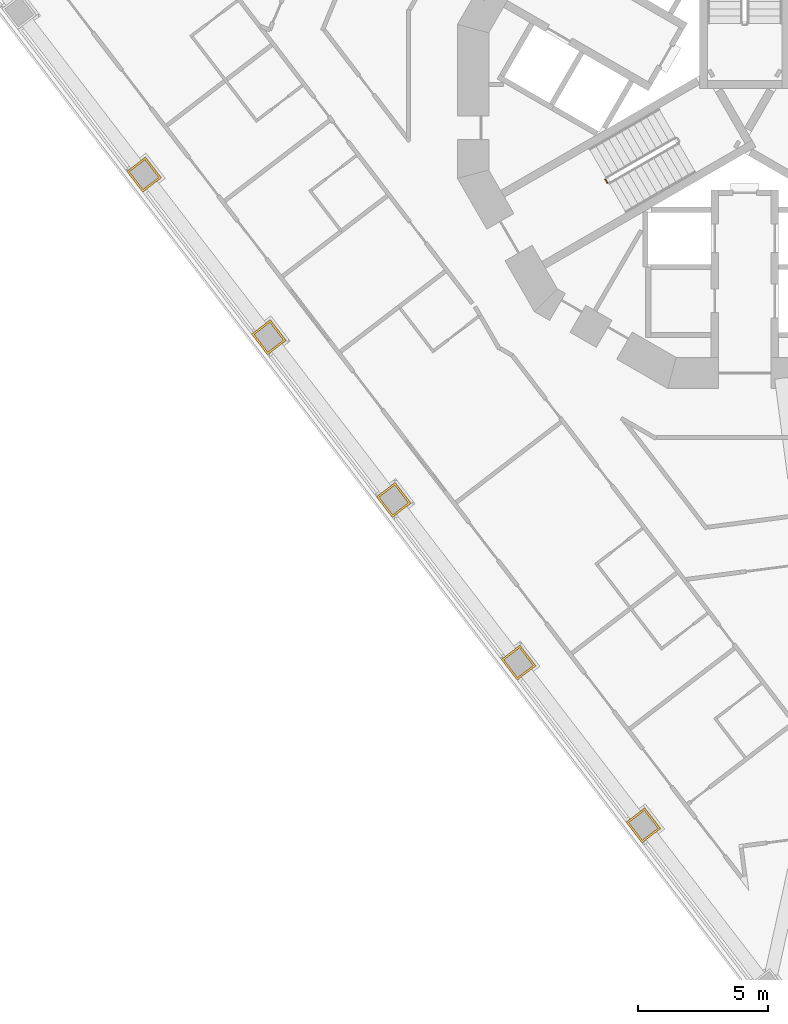
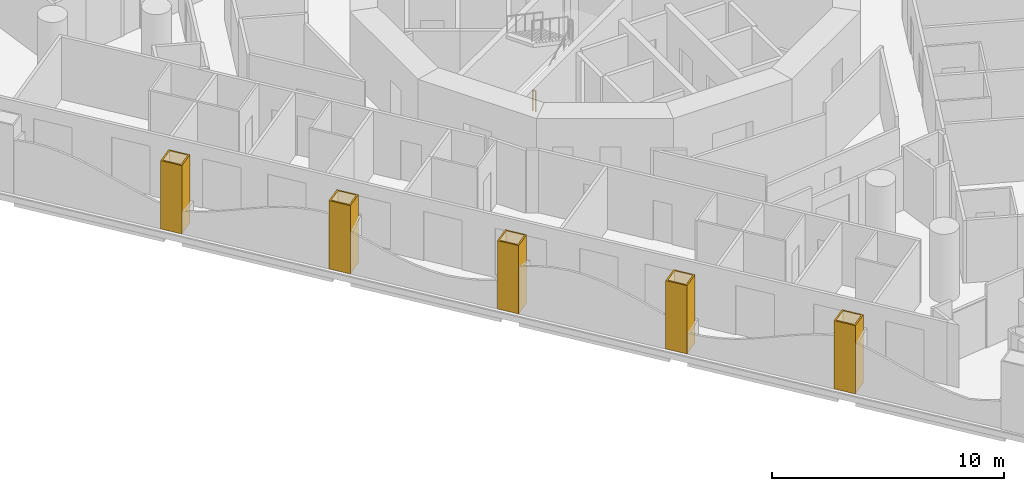
# One storey, part 12 of 19: 5 coverings, 1 railing.
"""IFC4 building model written with IfcOpenShell, lengths in metres."""

from ifc_helpers import new_model, si_unit, direction, frame, origin, origin_2d, place, context, subcontext, project, spatial, polyline, circle, outline, extrude, material, layer, layer_set, type_object, element, save


model = new_model("IFC4")

# Units and contexts
model_context = context("Model", 3, precision=1e-05, world=origin(), true_north=direction((0.0, 1.0)))
body_context = subcontext(model_context, "Body", "Model", "MODEL_VIEW")
ifc_project = project(units=[si_unit("LENGTHUNIT", "METRE"), si_unit("AREAUNIT", "SQUARE_METRE"), si_unit("VOLUMEUNIT", "CUBIC_METRE"), si_unit("PLANEANGLEUNIT", "RADIAN"), si_unit("MASSUNIT", "GRAM", prefix="KILO")], contexts=[model_context])

# Site, building, storey
site_placement = place(None, origin())
site = spatial("IfcSite", under=ifc_project, at=site_placement, CompositionType="ELEMENT")
building_placement = place(site_placement, origin())
building = spatial("IfcBuilding", under=site, at=building_placement, Name="Trine Commons Tower", CompositionType="ELEMENT")
storey_placement = place(building_placement, frame((0.0, 0.0, 68.39990234375)))
storey = spatial("IfcBuildingStorey", under=building, at=storey_placement, Name="L16", CompositionType="ELEMENT", Elevation=68.39990234375)

# Coverings
ifc_material_1 = material(Name="Limestone, honed", Category="masonry")
ifc_layer = layer(ifc_material_1, 0.074951171875)
ifc_layer_set = layer_set([ifc_layer], Name="Limestone, honed")
covering_type = type_object("IfcCoveringType", Name="Limestone column cladding 75", PredefinedType="CLADDING", material=ifc_layer_set)
covering_1_placement = place(storey_placement, origin())
element("IfcCovering", 1, at=covering_1_placement, inside=storey, type_object=covering_type, Name="Limestone pier cladding 2-02", PredefinedType="CLADDING", context=body_context, shape_type="SweptSolid", body=[
    extrude(outline(polyline([(76.1669921875, 35.419189453125), (75.452880859375, 34.87109375), (76.061767578125, 34.077880859375), (76.775634765625, 34.625732421875), (76.1669921875, 35.419189453125)]), holes=[polyline([(76.153076171875, 35.31396484375), (75.55810546875, 34.857421875), (76.075439453125, 34.18310546875), (76.67041015625, 34.6396484375), (76.153076171875, 35.31396484375)])]), origin(), (0.0, 0.0, 1.0), 3.60009765625),
])
covering_2_placement = place(storey_placement, origin())
element("IfcCovering", 2, at=covering_2_placement, inside=storey, type_object=covering_type, Name="Limestone pier cladding 2-03", PredefinedType="CLADDING", context=body_context, shape_type="SweptSolid", body=[
    extrude(outline(polyline([(71.381591796875, 41.6552734375), (70.667724609375, 41.107421875), (71.276611328125, 40.314208984375), (71.990478515625, 40.862060546875), (71.381591796875, 41.6552734375)]), holes=[polyline([(71.367919921875, 41.55029296875), (70.77294921875, 41.093505859375), (71.290283203125, 40.419189453125), (71.88525390625, 40.875732421875), (71.367919921875, 41.55029296875)])]), origin(), (0.0, 0.0, 1.0), 3.60009765625),
])
covering_3_placement = place(storey_placement, origin())
element("IfcCovering", 3, at=covering_3_placement, inside=storey, type_object=covering_type, Name="Limestone pier cladding 2-04", PredefinedType="CLADDING", context=body_context, shape_type="SweptSolid", body=[
    extrude(outline(polyline([(66.5966796875, 47.891357421875), (65.882568359375, 47.343505859375), (66.491455078125, 46.55029296875), (67.205322265625, 47.09814453125), (66.5966796875, 47.891357421875)]), holes=[polyline([(66.582763671875, 47.786376953125), (65.98779296875, 47.32958984375), (66.505126953125, 46.6552734375), (67.10009765625, 47.11181640625), (66.582763671875, 47.786376953125)])]), origin(), (0.0, 0.0, 1.0), 3.60009765625),
])
covering_4_placement = place(storey_placement, origin())
element("IfcCovering", 4, at=covering_4_placement, inside=storey, type_object=covering_type, Name="Limestone pier cladding 2-05", PredefinedType="CLADDING", context=body_context, shape_type="SweptSolid", body=[
    extrude(outline(polyline([(61.811279296875, 54.127685546875), (61.097412109375, 53.57958984375), (61.706298828125, 52.786376953125), (62.420166015625, 53.334228515625), (61.811279296875, 54.127685546875)]), holes=[polyline([(61.797607421875, 54.0224609375), (61.20263671875, 53.56591796875), (61.719970703125, 52.8916015625), (62.31494140625, 53.34814453125), (61.797607421875, 54.0224609375)])]), origin(), (0.0, 0.0, 1.0), 3.60009765625),
])
covering_5_placement = place(storey_placement, origin())
element("IfcCovering", 5, at=covering_5_placement, inside=storey, type_object=covering_type, Name="Limestone pier cladding 2-06", PredefinedType="CLADDING", context=body_context, shape_type="SweptSolid", body=[
    extrude(outline(polyline([(57.026123046875, 60.36376953125), (56.312255859375, 59.81591796875), (56.9208984375, 59.022705078125), (57.635009765625, 59.570556640625), (57.026123046875, 60.36376953125)]), holes=[polyline([(57.012451171875, 60.2587890625), (56.41748046875, 59.802001953125), (56.934814453125, 59.127685546875), (57.52978515625, 59.584228515625), (57.012451171875, 60.2587890625)])]), origin(), (0.0, 0.0, 1.0), 3.60009765625),
])

# Railing
ifc_material_2 = material(Name="Stainless steel balustrade", Category="steel")
railing_type = type_object("IfcRailingType", Name="Stair guard, steel balustrade 1100", PredefinedType="GUARDRAIL", material=ifc_material_2)
railing_placement = place(storey_placement, frame((74.73681640625, 59.374755859375, 0.0)))
element("IfcRailing", 6, at=railing_placement, inside=storey, type_object=railing_type, Name="L16 ST2A stair guard 4", PredefinedType="GUARDRAIL", context=body_context, shape_type="SweptSolid", body=[
    extrude(circle(Radius=0.02392578125, at=origin_2d()), frame((0.0, 0.0, 1.076171875), z_axis=(-0.499816412211, 0.866131372301, 0.0), x_axis=(-0.866131372301, -0.499816412211, 0.0)), (0.0, 0.0, 1.0), 0.14990234375),
    extrude(circle(Radius=0.02099609375, at=origin_2d()), origin(), (0.0, 0.0, 1.0), 1.052001953125),
    extrude(circle(Radius=0.02099609375, at=origin_2d()), frame((-0.074951171875, 0.1298828125, 0.0)), (0.0, 0.0, 1.0), 1.052001953125),
])

save(model, "model.ifc")
